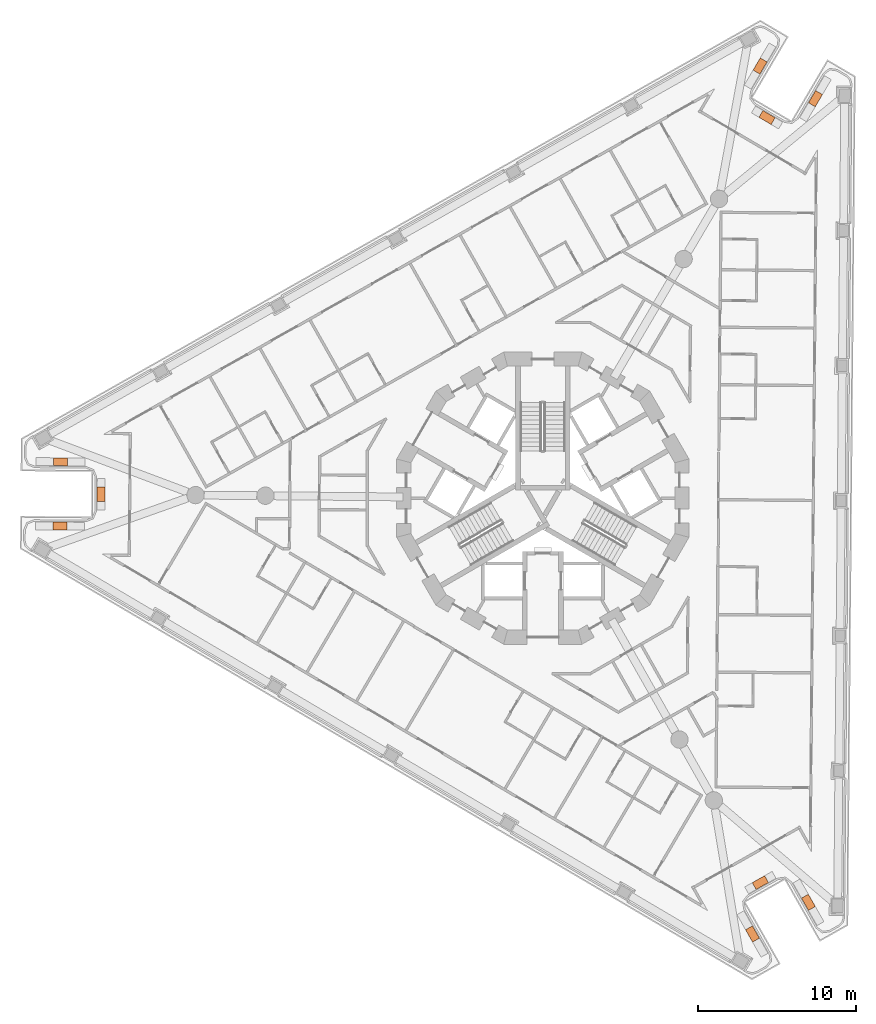
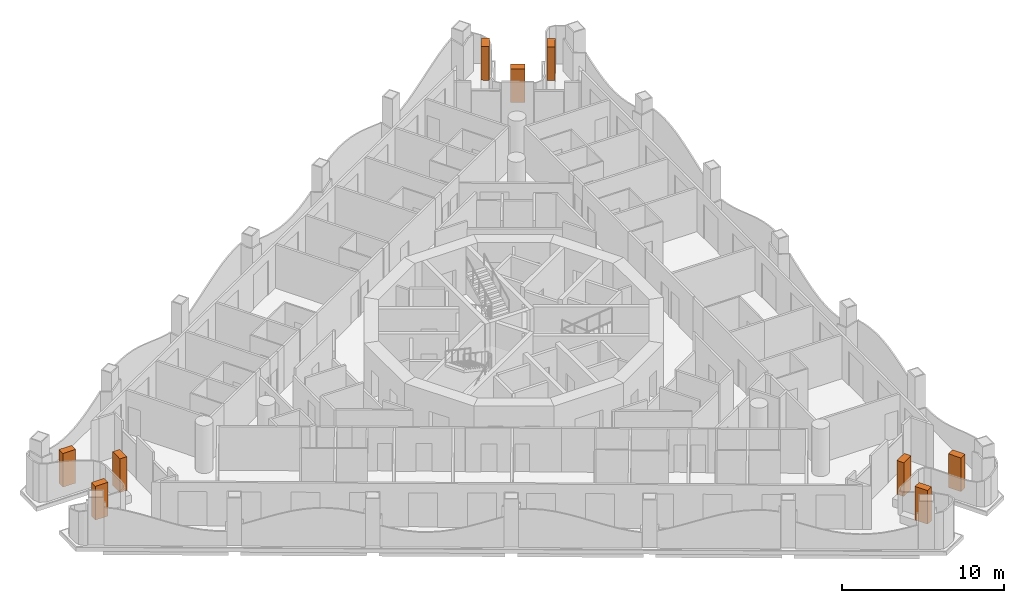
# One storey, part 18 of 18: 9 geographic elements.
"""IFC4 building model written with IfcOpenShell, lengths in metres."""

from ifc_helpers import new_model, si_unit, direction, frame, origin, origin_2d, place, context, subcontext, project, spatial, rectangle, extrude, element, save


model = new_model("IFC4")

# Units and contexts
model_context = context("Model", 3, precision=1e-05, world=origin(), true_north=direction((0.0, 1.0)))
body_context = subcontext(model_context, "Body", "Model", "MODEL_VIEW")
ifc_project = project(units=[si_unit("LENGTHUNIT", "METRE"), si_unit("AREAUNIT", "SQUARE_METRE"), si_unit("VOLUMEUNIT", "CUBIC_METRE"), si_unit("PLANEANGLEUNIT", "RADIAN"), si_unit("MASSUNIT", "GRAM", prefix="KILO")], contexts=[model_context])

# Site, building, storey
site_placement = place(None, origin())
site = spatial("IfcSite", under=ifc_project, at=site_placement, CompositionType="ELEMENT")
building_placement = place(site_placement, origin())
building = spatial("IfcBuilding", under=site, at=building_placement, Name="Trine Commons Tower", CompositionType="ELEMENT")
storey_placement = place(building_placement, frame((0.0, 0.0, 175.5)))
storey = spatial("IfcBuildingStorey", under=building, at=storey_placement, Name="L45", CompositionType="ELEMENT", Elevation=175.5)

# Geographic elements
for number, where, z_axis, x_axis, name in (
    (1, (49.3583984375, 60.727294921875, 0.60009765625), (0.0, 0.0, 1.0), (0.999961923064, -0.008726535498, 0.0), "Tree 1.1"),
    (2, (51.966064453125, 62.74462890625, 0.60009765625), (0.0, 0.0, 1.0), (0.008726535498, 0.999961923064, 0.0), "Tree 2.1"),
    (3, (49.393798828125, 64.80712890625, 0.60009765625), (0.0, 0.0, 1.0), (-0.999961923064, 0.008726535498, 0.0), "Tree 3.1"),
    (4, (93.78564453125, 89.9228515625, 0.60009765625), (0.0, 0.0, 1.0), (-0.507539866787, -0.861628274619, 0.0), "Tree 4.1"),
    (5, (94.228759765625, 86.65576171875, 0.60009765625), (0.0, 0.0, 1.0), (0.861628274619, -0.507539866787, 0.0), "Tree 5.1"),
    (6, (97.301025390625, 87.85205078125, 0.60009765625), (0.0, 0.0, 1.0), (0.507539866787, 0.861628274619, 0.0), "Tree 6.1"),
    (7, (96.85595703125, 36.849853515625, 0.60009765625), (0.0, 0.0, 1.0), (-0.492420521986, 0.870357414817, 0.0), "Tree 7.1"),
    (8, (93.80517578125, 38.099609375, 0.60009765625), (0.0, 0.0, 1.0), (-0.870333349571, -0.492463055085, 0.0), "Tree 8.1"),
    (9, (93.304931640625, 34.8408203125, 0.60009765625), (0.0, 0.0, 1.0), (0.492420521986, -0.870357414817, 0.0), "Tree 9.1"),
):
    element("IfcGeographicElement", number, at=place(storey_placement, frame(where, z_axis=z_axis, x_axis=x_axis)), inside=storey, Name=name, ObjectType="TREE Tabebuia rosea", PredefinedType="USERDEFINED", context=body_context, shape_type="SweptSolid", body=[
        extrude(rectangle(XDim=0.89990234375, YDim=0.5, at=origin_2d()), origin(), (0.0, 0.0, 1.0), 2.550048828125),
    ])

save(model, "model.ifc")
